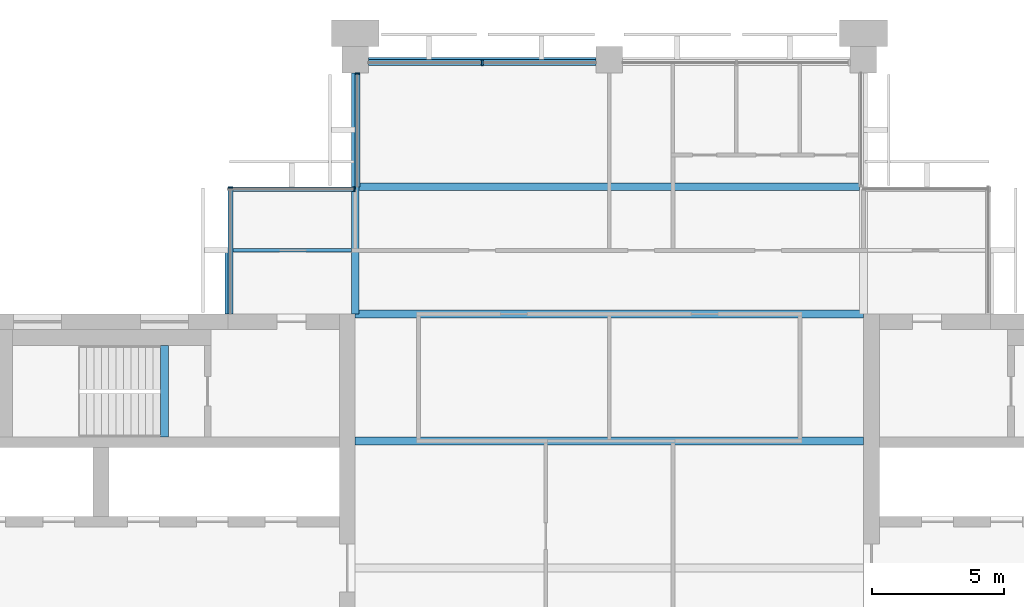
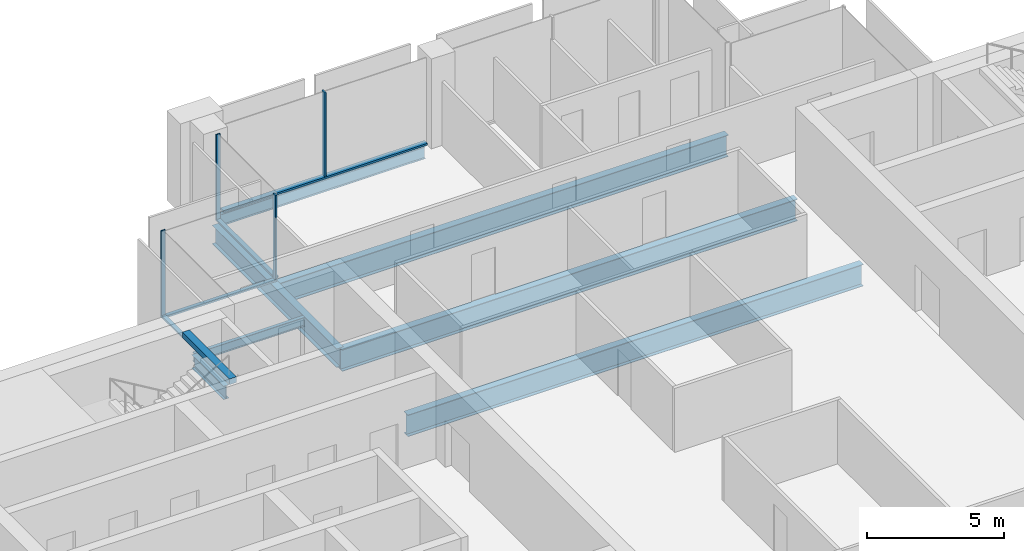
# One storey, part 5 of 12: 8 beams, 8 members, 4 elements without a shape of their own.
"""IFC4 building model written with IfcOpenShell, lengths in metres."""

from ifc_helpers import new_model, si_unit, direction, frame, origin, origin_2d, place, context, subcontext, project, spatial, rectangle, i_section, extrude, material, material_profile, profile_set, type_object, element, aggregate, save


model = new_model("IFC4")

# Units and contexts
model_context = context("Model", 3, precision=1e-05, world=origin(), true_north=direction((0.0, 1.0)))
body_context = subcontext(model_context, "Body", "Model", "MODEL_VIEW")
ifc_project = project(units=[si_unit("LENGTHUNIT", "METRE"), si_unit("AREAUNIT", "SQUARE_METRE"), si_unit("VOLUMEUNIT", "CUBIC_METRE"), si_unit("PLANEANGLEUNIT", "RADIAN"), si_unit("MASSUNIT", "GRAM", prefix="KILO")], contexts=[model_context])

# Site, building, storey
site_placement = place(None, origin())
site = spatial("IfcSite", under=ifc_project, at=site_placement, CompositionType="ELEMENT")
building_placement = place(site_placement, origin())
building = spatial("IfcBuilding", under=site, at=building_placement, Name="Baori Bourse Tower", CompositionType="ELEMENT")
storey_placement = place(building_placement, frame((0.0, 0.0, 298.300048828125)))
storey = spatial("IfcBuildingStorey", under=building, at=storey_placement, Name="L65", CompositionType="ELEMENT", Elevation=298.300048828125)

# Curtain wall, member
ifc_material_1 = material(Name="Pale anodised aluminium", Category="aluminium")
curtain_wall_type_1 = type_object("IfcCurtainWallType", Name="CW2 Curtain wall", PredefinedType="NOTDEFINED", material=ifc_material_1)
curtain_wall_1_placement = place(storey_placement, origin())
curtain_wall_1 = element("IfcCurtainWall", 1, at=curtain_wall_1_placement, inside=storey, type_object=curtain_wall_type_1, Name="Curtain wall CW2 L65 5", PredefinedType="NOTDEFINED")
ifc_material_2 = material(Name="Pale anodised aluminium", Category="aluminium")
ifc_material_profile_1 = material_profile(ifc_material_2, rectangle(XDim=0.179931640625, YDim=0.054931640625, at=origin_2d()), Name="Mullion 55x180")
ifc_profile_set_1 = profile_set([ifc_material_profile_1], Name="Pale anodised aluminium")
member_type_1 = type_object("IfcMemberType", Name="CW2 Curtain wall mullion", PredefinedType="MULLION", material=ifc_profile_set_1)
member_1_placement = place(storey_placement, frame((19.2900390625, 47.472412109375, 0.070068359375), z_axis=(0.0, 0.0, 1.0), x_axis=(1.0, 0.0, 0.0)))
member_1 = element("IfcMember", 2, at=member_1_placement, type_object=member_type_1, Name="Curtain wall CW2 mullion", PredefinedType="MULLION", context=body_context, shape_type="SweptSolid", body=[
    extrude(rectangle(XDim=0.179931640625, YDim=0.054931640625, at=origin_2d()), origin(), (0.0, 0.0, 1.0), 3.769775390625),
])

curtain_wall_2_placement = place(storey_placement, origin())
curtain_wall_2 = element("IfcCurtainWall", 3, at=curtain_wall_2_placement, inside=storey, type_object=curtain_wall_type_1, Name="Curtain wall CW2 L65 6", PredefinedType="NOTDEFINED")
member_2_placement = place(storey_placement, frame((19.172607421875, 43.110107421875, 0.070068359375), z_axis=(0.0, 0.0, 1.0), x_axis=(0.0, -1.0, 0.0)))
member_2 = element("IfcMember", 4, at=member_2_placement, type_object=member_type_1, Name="Curtain wall CW2 mullion", PredefinedType="MULLION", context=body_context, shape_type="SweptSolid", body=[
    extrude(rectangle(XDim=0.179931640625, YDim=0.054931640625, at=origin_2d()), origin(), (0.0, 0.0, 1.0), 3.769775390625),
])

curtain_wall_3_placement = place(storey_placement, origin())
curtain_wall_3 = element("IfcCurtainWall", 5, at=curtain_wall_3_placement, inside=storey, type_object=curtain_wall_type_1, Name="Curtain wall CW2 L65 7", PredefinedType="NOTDEFINED")
member_3_placement = place(storey_placement, frame((14.489990234375, 43.172607421875, 0.070068359375), z_axis=(0.0, 0.0, 1.0), x_axis=(1.0, 0.0, 0.0)))
member_3 = element("IfcMember", 6, at=member_3_placement, type_object=member_type_1, Name="Curtain wall CW2 mullion", PredefinedType="MULLION", context=body_context, shape_type="SweptSolid", body=[
    extrude(rectangle(XDim=0.179931640625, YDim=0.054931640625, at=origin_2d()), origin(), (0.0, 0.0, 1.0), 3.769775390625),
])

# Member
ifc_material_3 = material(Name="Pale anodised aluminium", Category="aluminium")
ifc_material_profile_2 = material_profile(ifc_material_3, rectangle(XDim=0.179931640625, YDim=0.070068359375, at=origin_2d()), Name="Transom 70x180")
ifc_profile_set_2 = profile_set([ifc_material_profile_2], Name="Pale anodised aluminium")
member_type_2 = type_object("IfcMemberType", Name="CW2 Curtain wall transom", PredefinedType="USERDEFINED", material=ifc_profile_set_2)
member_4_placement = place(storey_placement, frame((19.2900390625, 47.5, 0.034912109375), z_axis=(0.0, -1.0, 0.0), x_axis=(1.0, 0.0, 0.0)))
member_4 = element("IfcMember", 7, at=member_4_placement, type_object=member_type_2, Name="Curtain wall CW2 sill rail", ObjectType="TRANSOM", PredefinedType="USERDEFINED", context=body_context, shape_type="SweptSolid", body=[
    extrude(rectangle(XDim=0.179931640625, YDim=0.070068359375, at=origin_2d()), origin(), (0.0, 0.0, 1.0), 4.300048828125),
])

aggregate(curtain_wall_1, [member_4, member_1])

member_5_placement = place(storey_placement, frame((19.199951171875, 43.110107421875, 0.034912109375), z_axis=(-1.0, 0.0, 0.0), x_axis=(0.0, -1.0, 0.0)))
member_5 = element("IfcMember", 8, at=member_5_placement, type_object=member_type_2, Name="Curtain wall CW2 sill rail", ObjectType="TRANSOM", PredefinedType="USERDEFINED", context=body_context, shape_type="SweptSolid", body=[
    extrude(rectangle(XDim=0.179931640625, YDim=0.070068359375, at=origin_2d()), origin(), (0.0, 0.0, 1.0), 4.800048828125),
])

aggregate(curtain_wall_2, [member_5, member_2])

member_6_placement = place(storey_placement, frame((14.489990234375, 43.199951171875, 0.034912109375), z_axis=(0.0, -1.0, 0.0), x_axis=(1.0, 0.0, 0.0)))
member_6 = element("IfcMember", 9, at=member_6_placement, type_object=member_type_2, Name="Curtain wall CW2 sill rail", ObjectType="TRANSOM", PredefinedType="USERDEFINED", context=body_context, shape_type="SweptSolid", body=[
    extrude(rectangle(XDim=0.179931640625, YDim=0.070068359375, at=origin_2d()), origin(), (0.0, 0.0, 1.0), 4.800048828125),
])

aggregate(curtain_wall_3, [member_6, member_3])

# Curtain wall, members
ifc_material_4 = material(Name="Pale anodised aluminium", Category="aluminium")
curtain_wall_type_2 = type_object("IfcCurtainWallType", Name="CW5 Curtain wall", PredefinedType="NOTDEFINED", material=ifc_material_4)
curtain_wall_4_placement = place(storey_placement, origin())
curtain_wall_4 = element("IfcCurtainWall", 10, at=curtain_wall_4_placement, inside=storey, type_object=curtain_wall_type_2, Name="Curtain wall CW5 L65 4", PredefinedType="NOTDEFINED")
ifc_material_5 = material(Name="Pale anodised aluminium", Category="aluminium")
ifc_material_profile_3 = material_profile(ifc_material_5, rectangle(XDim=0.219970703125, YDim=0.06494140625, at=origin_2d()), Name="Mullion 65x220")
ifc_profile_set_3 = profile_set([ifc_material_profile_3], Name="Pale anodised aluminium")
member_type_3 = type_object("IfcMemberType", Name="CW5 Curtain wall mullion", PredefinedType="MULLION", material=ifc_profile_set_3)
member_7_placement = place(storey_placement, frame((24.0, 47.889892578125, 0.0849609375), z_axis=(0.0, 0.0, 1.0), x_axis=(0.0, -1.0, 0.0)))
member_7 = element("IfcMember", 11, at=member_7_placement, type_object=member_type_3, Name="Curtain wall CW5 mullion", PredefinedType="MULLION", context=body_context, shape_type="SweptSolid", body=[
    extrude(rectangle(XDim=0.219970703125, YDim=0.06494140625, at=origin_2d()), origin(), (0.0, 0.0, 1.0), 3.7548828125),
])
ifc_material_6 = material(Name="Pale anodised aluminium", Category="aluminium")
ifc_material_profile_4 = material_profile(ifc_material_6, rectangle(XDim=0.219970703125, YDim=0.0849609375, at=origin_2d()), Name="Transom 85x220")
ifc_profile_set_4 = profile_set([ifc_material_profile_4], Name="Pale anodised aluminium")
member_type_4 = type_object("IfcMemberType", Name="CW5 Curtain wall transom", PredefinedType="USERDEFINED", material=ifc_profile_set_4)
member_8_placement = place(storey_placement, frame((28.300048828125, 47.889892578125, 0.04248046875), z_axis=(-1.0, 0.0, 0.0), x_axis=(0.0, -1.0, 0.0)))
member_8 = element("IfcMember", 12, at=member_8_placement, type_object=member_type_4, Name="Curtain wall CW5 sill rail", ObjectType="TRANSOM", PredefinedType="USERDEFINED", context=body_context, shape_type="SweptSolid", body=[
    extrude(rectangle(XDim=0.219970703125, YDim=0.0849609375, at=origin_2d()), origin(), (0.0, 0.0, 1.0), 8.60009765625),
])
aggregate(curtain_wall_4, [member_8, member_7])

# Beams
ifc_material_7 = material(Name="Steel A992 Gr 50", Category="steel")
ifc_material_profile_5 = material_profile(ifc_material_7, i_section(OverallWidth=0.227783203125, OverallDepth=0.60205078125, WebThickness=0.010498046875, FlangeThickness=0.014892578125, at=origin_2d()), Name="W24x68")
ifc_profile_set_5 = profile_set([ifc_material_profile_5], Name="Steel A992 Gr 50")
beam_type_1 = type_object("IfcBeamType", Name="Core bracket W24x68", PredefinedType="BEAM", material=ifc_profile_set_5)
beam_1_placement = place(storey_placement, frame((14.39990234375, 38.39990234375, -0.4609375), z_axis=(0.0, 1.0, 0.0), x_axis=(-1.0, 0.0, 0.0)))
element("IfcBeam", 13, at=beam_1_placement, inside=storey, type_object=beam_type_1, Name="Core bracket L65", PredefinedType="BEAM", context=body_context, shape_type="SweptSolid", body=[
    extrude(i_section(OverallWidth=0.227783203125, OverallDepth=0.60205078125, WebThickness=0.010498046875, FlangeThickness=0.014892578125, at=origin_2d()), origin(), (0.0, 0.0, 1.0), 2.329833984375),
])
ifc_material_8 = material(Name="Steel A992 Gr 50", Category="steel")
ifc_material_profile_6 = material_profile(ifc_material_8, i_section(OverallWidth=0.1650390625, OverallDepth=0.52587890625, WebThickness=0.0087890625, FlangeThickness=0.011474609375, at=origin_2d()), Name="W21x44")
ifc_profile_set_6 = profile_set([ifc_material_profile_6], Name="Steel A992 Gr 50")
beam_type_2 = type_object("IfcBeamType", Name="Edge beam W21x44", PredefinedType="BEAM", material=ifc_profile_set_6)
beam_2_placement = place(storey_placement, frame((19.699951171875, 48.0, -0.4228515625), z_axis=(1.0, 0.0, 0.0), x_axis=(0.0, 1.0, 0.0)))
element("IfcBeam", 14, at=beam_2_placement, inside=storey, type_object=beam_type_2, Name="Edge beam L65", PredefinedType="BEAM", context=body_context, shape_type="SweptSolid", body=[
    extrude(i_section(OverallWidth=0.1650390625, OverallDepth=0.52587890625, WebThickness=0.0087890625, FlangeThickness=0.011474609375, at=origin_2d()), origin(), (0.0, 0.0, 1.0), 8.60009765625),
])
ifc_material_9 = material(Name="Steel A992 Gr 50", Category="steel")
ifc_material_profile_7 = material_profile(ifc_material_9, i_section(OverallWidth=0.2998046875, OverallDepth=0.97021484375, WebThickness=0.01611328125, FlangeThickness=0.02099609375, at=origin_2d()), Name="W40x149")
ifc_profile_set_7 = profile_set([ifc_material_profile_7], Name="Steel A992 Gr 50")
beam_type_3 = type_object("IfcBeamType", Name="Floor beam W40x149", PredefinedType="BEAM", material=ifc_profile_set_7)
for number, where, z_axis, x_axis, name in (
    (15, (19.199951171875, 33.60009765625, -0.645263671875), (1.0, 0.0, 0.0), (0.0, 1.0, 0.0), "Floor beam L65"),
    (16, (19.199951171875, 38.39990234375, -0.645263671875), (1.0, 0.0, 0.0), (0.0, 1.0, 0.0), "Floor beam L65"),
):
    element("IfcBeam", number, at=place(storey_placement, frame(where, z_axis=z_axis, x_axis=x_axis)), inside=storey, type_object=beam_type_3, Name=name, PredefinedType="BEAM", context=body_context, shape_type="SweptSolid", body=[
        extrude(i_section(OverallWidth=0.2998046875, OverallDepth=0.97021484375, WebThickness=0.01611328125, FlangeThickness=0.02099609375, at=origin_2d()), origin(), (0.0, 0.0, 1.0), 19.199951171875),
    ])
beam_3_placement = place(storey_placement, frame((19.345947265625, 43.199951171875, -0.645263671875), z_axis=(1.0, 0.0, 0.0), x_axis=(0.0, 1.0, 0.0)))
element("IfcBeam", 17, at=beam_3_placement, inside=storey, type_object=beam_type_3, Name="Floor beam L65", PredefinedType="BEAM", context=body_context, shape_type="SweptSolid", body=[
    extrude(i_section(OverallWidth=0.2998046875, OverallDepth=0.97021484375, WebThickness=0.01611328125, FlangeThickness=0.02099609375, at=origin_2d()), origin(), (0.0, 0.0, 1.0), 18.907958984375),
])
ifc_material_10 = material(Name="Steel A992 Gr 50", Category="steel")
ifc_material_profile_8 = material_profile(ifc_material_10, i_section(OverallWidth=0.2919921875, OverallDepth=0.835693359375, WebThickness=0.013916015625, FlangeThickness=0.018798828125, at=origin_2d()), Name="W33x118")
ifc_profile_set_8 = profile_set([ifc_material_profile_8], Name="Steel A992 Gr 50")
beam_type_4 = type_object("IfcBeamType", Name="Girder W33x118", PredefinedType="BEAM", material=ifc_profile_set_8)
beam_4_placement = place(storey_placement, frame((19.199951171875, 38.39990234375, -0.577880859375), z_axis=(0.0, 1.0, 0.0), x_axis=(-1.0, 0.0, 0.0)))
element("IfcBeam", 18, at=beam_4_placement, inside=storey, type_object=beam_type_4, Name="Girder L65", PredefinedType="BEAM", context=body_context, shape_type="SweptSolid", body=[
    extrude(i_section(OverallWidth=0.2919921875, OverallDepth=0.835693359375, WebThickness=0.013916015625, FlangeThickness=0.018798828125, at=origin_2d()), origin(), (0.0, 0.0, 1.0), 9.10009765625),
])
ifc_material_11 = material(Name="Concrete f'c 50 MPa", Category="concrete")
ifc_material_profile_9 = material_profile(ifc_material_11, rectangle(XDim=0.300048828125, YDim=0.25, at=origin_2d()), Name="RC 300x250")
ifc_profile_set_9 = profile_set([ifc_material_profile_9], Name="Concrete f'c 50 MPa")
beam_type_5 = type_object("IfcBeamType", Name="Stair nib beam RC 300x250", PredefinedType="BEAM", material=ifc_profile_set_9)
beam_5_placement = place(storey_placement, frame((12.0, 33.75, 3.71484375), z_axis=(0.0, 1.0, 0.0), x_axis=(-1.0, 0.0, 0.0)))
element("IfcBeam", 19, at=beam_5_placement, inside=storey, type_object=beam_type_5, Name="Stair WB nib beam L66", PredefinedType="BEAM", context=body_context, shape_type="SweptSolid", body=[
    extrude(rectangle(XDim=0.300048828125, YDim=0.25, at=origin_2d()), origin(), (0.0, 0.0, 1.0), 3.449951171875),
])
ifc_material_12 = material(Name="Steel A992 Gr 50", Category="steel")
ifc_material_profile_10 = material_profile(ifc_material_12, i_section(OverallWidth=0.140380859375, OverallDepth=0.40380859375, WebThickness=0.007080078125, FlangeThickness=0.01123046875, at=origin_2d()), Name="W16x31")
ifc_profile_set_10 = profile_set([ifc_material_profile_10], Name="Steel A992 Gr 50")
beam_type_6 = type_object("IfcBeamType", Name="Trimmer beam W16x31", PredefinedType="BEAM", material=ifc_profile_set_10)
beam_6_placement = place(storey_placement, frame((14.39990234375, 40.800048828125, -0.362060546875), z_axis=(1.0, 0.0, 0.0), x_axis=(0.0, 1.0, 0.0)))
element("IfcBeam", 20, at=beam_6_placement, inside=storey, type_object=beam_type_6, Name="Trimmer beam L65", PredefinedType="BEAM", context=body_context, shape_type="SweptSolid", body=[
    extrude(i_section(OverallWidth=0.140380859375, OverallDepth=0.40380859375, WebThickness=0.007080078125, FlangeThickness=0.01123046875, at=origin_2d()), origin(), (0.0, 0.0, 1.0), 4.654052734375),
])

save(model, "model.ifc")
